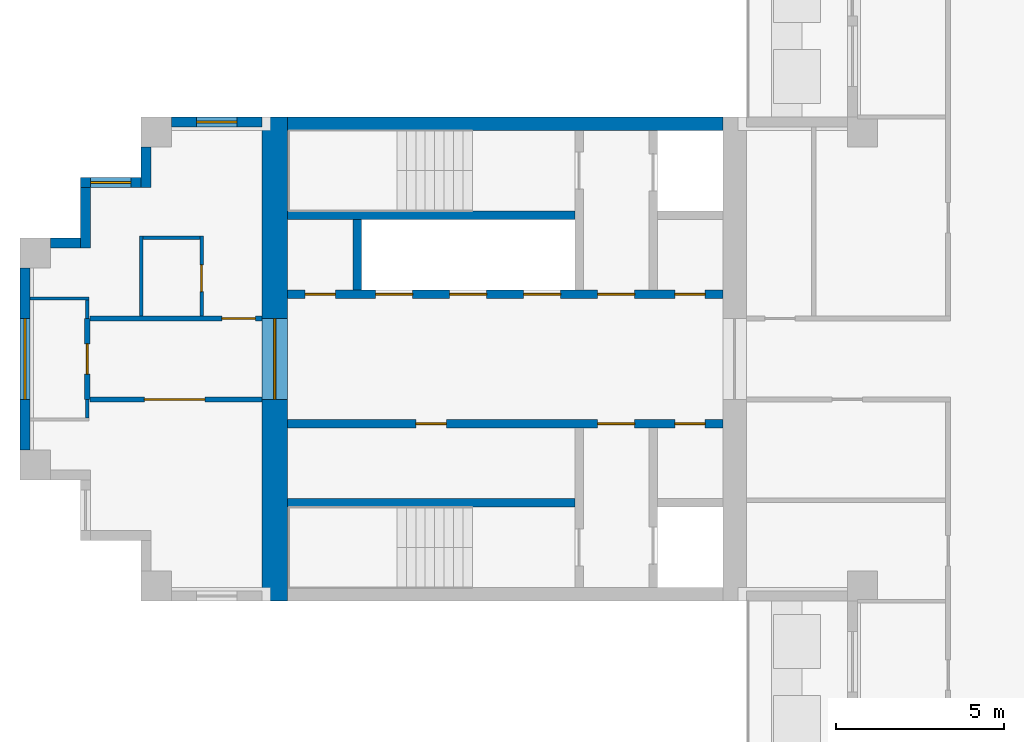
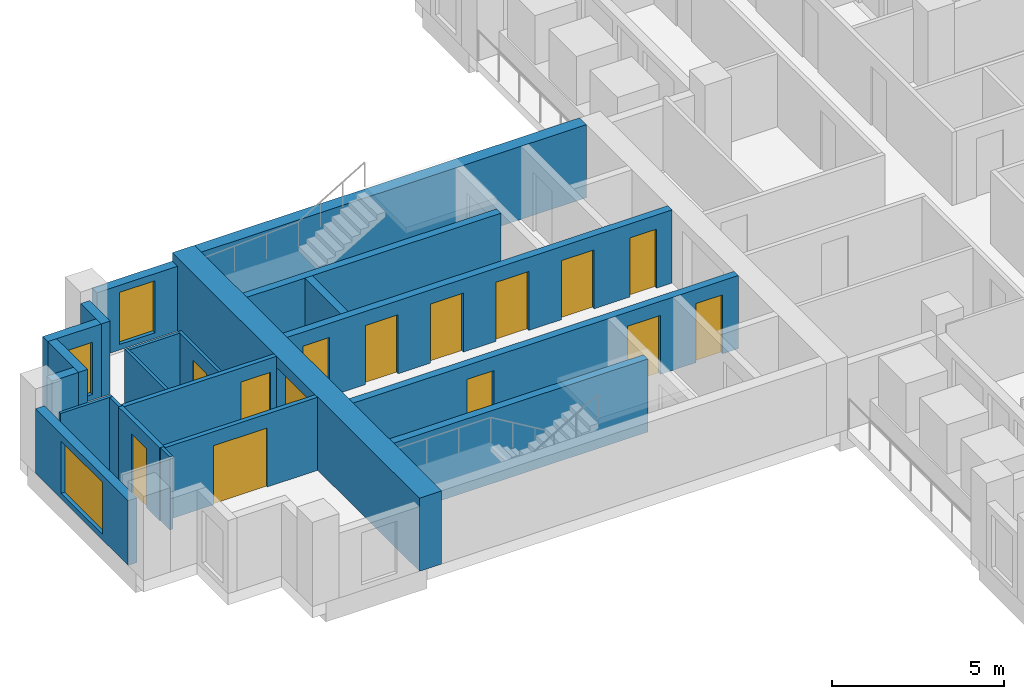
# One storey, part 3 of 9: 22 walls, 14 doors, 3 windows, 17 openings.
"""IFC4 building model written with IfcOpenShell, lengths in metres."""

import ifcopenshell
import ifcopenshell.guid

model = None  # the IFC model being written
_history = None  # IfcOwnerHistory: only IFC2X3 demands one
_inside = {}  # id of a spatial element -> (the spatial element, [elements in it])
_under = {}  # id of a project, library or spatial element -> (it, [spatial elements below it])
_declared = {}  # id of a project -> (the project, [libraries it declares])
_typed = {}  # id of a type object -> (the type object, [elements of that type])
_made_of = {}  # id of a material, layer set ... -> (it, [elements and type objects made of it])


def new_model(schema):
    """Start an empty IFC model of exactly this schema.

    Asked for "IFC4X3", IfcOpenShell would pick the latest addendum, in which some entities
    have other attributes; the version numbers below select the first issue.
    IFC2X3 requires an IfcOwnerHistory on every rooted entity: one is made here for all.
    """
    global model, _history
    if schema == "IFC4X3":
        model = ifcopenshell.file(schema_version=(4, 3, 0, 0))
    else:
        model = ifcopenshell.file(schema=schema)
    _inside.clear()
    _under.clear()
    _declared.clear()
    _typed.clear()
    _made_of.clear()
    _history = None
    if model.schema == "IFC2X3":
        org = make("IfcOrganization", Name="unknown")
        user = make(
            "IfcPersonAndOrganization",
            ThePerson=make("IfcPerson", FamilyName="unknown"),
            TheOrganization=org,
        )
        app = make(
            "IfcApplication",
            ApplicationDeveloper=org,
            Version="unknown",
            ApplicationFullName="unknown",
            ApplicationIdentifier="unknown",
        )
        _history = make(
            "IfcOwnerHistory",
            OwningUser=user,
            OwningApplication=app,
            ChangeAction="ADDED",
            CreationDate=0,
        )
    return model


def make(cls, **values):
    """One entity of the class cls with the attributes given. An attribute that is None is left unset."""
    return model.create_entity(
        cls, **{name: value for name, value in values.items() if value is not None}
    )


def rooted(cls, **values):
    """An entity with a GlobalId (a new one), such as an element, a storey or a relation."""
    return make(cls, GlobalId=ifcopenshell.guid.new(), OwnerHistory=_history, **values)


def si_unit(unit_type, name, prefix=None):
    """IfcSIUnit, for example si_unit("LENGTHUNIT", "METRE", prefix="MILLI")."""
    return make("IfcSIUnit", UnitType=unit_type, Prefix=prefix, Name=name)


def assignment(units):
    """IfcUnitAssignment: the units of a project."""
    return None if units is None else make("IfcUnitAssignment", Units=units)


def point(xyz):
    """IfcCartesianPoint."""
    return None if xyz is None else make("IfcCartesianPoint", Coordinates=xyz)


def direction(xyz):
    """IfcDirection."""
    return None if xyz is None else make("IfcDirection", DirectionRatios=xyz)


def frame(location, z_axis=None, x_axis=None):
    """IfcAxis2Placement3D, a coordinate frame: its origin and axes. An axis left out is left unset."""
    return make(
        "IfcAxis2Placement3D",
        Location=point(location),
        Axis=direction(z_axis),
        RefDirection=direction(x_axis),
    )


def frame_2d(location, x_axis=None):
    """IfcAxis2Placement2D, a coordinate frame in the plane: its origin and x axis."""
    return make(
        "IfcAxis2Placement2D", Location=point(location), RefDirection=direction(x_axis)
    )


def origin():
    """The frame at (0, 0, 0) with its axes left unset."""
    return frame((0.0, 0.0, 0.0))


def place(relative_to, where):
    """IfcLocalPlacement: puts the frame where relative to a parent placement (None: the world)."""
    return make(
        "IfcLocalPlacement", PlacementRelTo=relative_to, RelativePlacement=where
    )


def context(
    kind, dimensions, precision=None, world=None, true_north=None, identifier=None
):
    """IfcGeometricRepresentationContext, for example the 3D "Model" context."""
    return make(
        "IfcGeometricRepresentationContext",
        ContextIdentifier=identifier,
        ContextType=kind,
        CoordinateSpaceDimension=dimensions,
        Precision=precision,
        WorldCoordinateSystem=world,
        TrueNorth=true_north,
    )


def subcontext(parent, identifier, kind, view, scale=None):
    """IfcGeometricRepresentationSubContext, for example "Body" below "Model"."""
    return make(
        "IfcGeometricRepresentationSubContext",
        ContextIdentifier=identifier,
        ContextType=kind,
        ParentContext=parent,
        TargetScale=scale,
        TargetView=view,
    )


def project(units=None, contexts=None):
    """IfcProject with its units and contexts."""
    return rooted(
        "IfcProject",
        Name="project",
        RepresentationContexts=contexts,
        UnitsInContext=assignment(units),
    )


def spatial(cls, under=None, at=None, **own):
    """A site, building, storey or space (cls), placed at a placement, below another one or the project."""
    s = rooted(cls, ObjectPlacement=at, **own)
    if under is not None:
        _under.setdefault(under.id(), (under, []))[1].append(s)
    return s


def profile(cls, at=None, kind="AREA", **sizes):
    """A parametric profile (cls). Its sizes go by their IFC names, for example OverallWidth=200.0."""
    return make(cls, ProfileType=kind, Position=at, **sizes)


def rectangle(**sizes):
    """IfcRectangleProfileDef."""
    return profile("IfcRectangleProfileDef", **sizes)


def extrude(swept, where, along, depth):
    """IfcExtrudedAreaSolid: the profile swept, set in the frame where, extruded along a direction by depth."""
    return make(
        "IfcExtrudedAreaSolid",
        SweptArea=swept,
        Position=where,
        ExtrudedDirection=direction(along),
        Depth=depth,
    )


def shape(context_of_items, identifier, shape_type, items):
    """IfcShapeRepresentation: the items that make up one representation, for example the "Body"."""
    return make(
        "IfcShapeRepresentation",
        ContextOfItems=context_of_items,
        RepresentationIdentifier=identifier,
        RepresentationType=shape_type,
        Items=items,
    )


def material(Name=None, Category=None):
    """IfcMaterial."""
    return make("IfcMaterial", Name=Name, Category=Category)


def layer(
    of_material, thickness, ventilated=None, Name=None, Category=None, Priority=None
):
    """IfcMaterialLayer: one layer of a wall or slab, of a material (None: an air gap)."""
    return make(
        "IfcMaterialLayer",
        Material=of_material,
        LayerThickness=thickness,
        IsVentilated=ventilated,
        Name=Name,
        Category=Category,
        Priority=Priority,
    )


def layer_set(layers, Name=None):
    """IfcMaterialLayerSet."""
    return make("IfcMaterialLayerSet", MaterialLayers=layers, LayerSetName=Name)


def made_of(thing, what):
    """Note that an element or type object is made of a material, layer set ...; save() writes the relation."""
    if what is not None:
        _made_of.setdefault(what.id(), (what, []))[1].append(thing)
    return thing


def type_object(cls, material=None, **own):
    """A type object (cls), such as IfcWallType, which elements share."""
    return made_of(rooted(cls, **own), material)


def element(
    cls,
    number,
    at=None,
    inside=None,
    cuts=None,
    type_object=None,
    material=None,
    context=None,
    identifier="Body",
    shape_type=None,
    held_by="IfcProductDefinitionShape",
    body=None,
    shapes=None,
    **own,
):
    """One element of the class cls, such as IfcWall. Its Tag is "e" and its number.

    at: its placement. inside: the storey or other place that contains it. cuts: it is an
    opening in that element (IfcRelVoidsElement). A single representation is given by context,
    identifier, shape_type and body (its items); several are given by shapes. held_by: the class
    of the entity that holds the representations. save() writes the other relations.
    """
    e = rooted(cls, Tag="e%d" % number, ObjectPlacement=at, **own)
    if body is not None:
        shapes = [shape(context, identifier, shape_type, body)]
    if shapes is not None:
        e.Representation = make(held_by, Representations=shapes)
    if inside is not None:
        _inside.setdefault(inside.id(), (inside, []))[1].append(e)
    if cuts is not None:
        rooted(
            "IfcRelVoidsElement", RelatingBuildingElement=cuts, RelatedOpeningElement=e
        )
    if type_object is not None:
        _typed.setdefault(type_object.id(), (type_object, []))[1].append(e)
    return made_of(e, material)


def fill(opening, filler):
    """IfcRelFillsElement: the door or window that sits in an opening."""
    return rooted(
        "IfcRelFillsElement",
        RelatingOpeningElement=opening,
        RelatedBuildingElement=filler,
    )


def aggregate(whole, parts):
    """IfcRelAggregates: a whole, such as a stair, and the parts it consists of."""
    return rooted("IfcRelAggregates", RelatingObject=whole, RelatedObjects=parts)


def save(model, path):
    """Write the relations noted so far, then the file.

    IfcRelAggregates (storeys below a building ...), IfcRelContainedInSpatialStructure (elements
    in a storey), IfcRelDefinesByType, IfcRelAssociatesMaterial and IfcRelDeclares: one each for
    every whole, place, type object, material and project.
    """
    for whole, parts in _under.values():
        aggregate(whole, parts)
    for where, things in _inside.values():
        rooted(
            "IfcRelContainedInSpatialStructure",
            RelatedElements=things,
            RelatingStructure=where,
        )
    for kind, things in _typed.values():
        rooted("IfcRelDefinesByType", RelatedObjects=things, RelatingType=kind)
    for what, things in _made_of.values():
        rooted("IfcRelAssociatesMaterial", RelatedObjects=things, RelatingMaterial=what)
    for by, libraries in _declared.values():
        rooted("IfcRelDeclares", RelatingContext=by, RelatedDefinitions=libraries)
    model.write(path)


model = new_model("IFC4")

# Units and contexts
model_context = context("Model", 3, precision=1e-05, world=origin(), true_north=direction((0.0, 1.0)))
body_context = subcontext(model_context, "Body", "Model", "MODEL_VIEW")
ifc_project = project(units=[si_unit("LENGTHUNIT", "METRE"), si_unit("AREAUNIT", "SQUARE_METRE"), si_unit("VOLUMEUNIT", "CUBIC_METRE"), si_unit("PLANEANGLEUNIT", "RADIAN"), si_unit("MASSUNIT", "GRAM", prefix="KILO")], contexts=[model_context])

# Site, building, storey
site_placement = place(None, origin())
site = spatial("IfcSite", under=ifc_project, at=site_placement, CompositionType="ELEMENT")
building_placement = place(site_placement, origin())
building = spatial("IfcBuilding", under=site, at=building_placement, Name="Fustian Cross Tower", CompositionType="ELEMENT")
storey_placement = place(building_placement, frame((0.0, 0.0, 216.89990234375)))
storey = spatial("IfcBuildingStorey", under=building, at=storey_placement, Name="L68", CompositionType="ELEMENT", Elevation=216.89990234375)

# Wall, opening, door
ifc_material_1 = material(Name="Plasterboard on steel stud", Category="steel")
ifc_layer_1 = layer(ifc_material_1, 0.14990234375)
ifc_layer_set_1 = layer_set([ifc_layer_1], Name="Plasterboard on steel stud")
wall_type_1 = type_object("IfcWallType", Name="COMPARTMENT WALL 150 EI 60", PredefinedType="PARTITIONING", material=ifc_layer_set_1)
wall_1_placement = place(storey_placement, frame((-26.800048828125, -1.199951171875, 0.0), z_axis=(0.0, 0.0, 1.0), x_axis=(0.0, 1.0, 0.0)))
wall_1 = element("IfcWall", 1, at=wall_1_placement, inside=storey, type_object=wall_type_1, Name="Partition 4", PredefinedType="PARTITIONING", context=body_context, shape_type="SweptSolid", body=[
    extrude(rectangle(XDim=2.39990234375, YDim=0.14990234375, at=frame_2d((1.199951171875, 0.0))), origin(), (0.0, 0.0, 1.0), 2.60009765625),
])
opening_1_placement = place(wall_1_placement, frame((0.75, 0.0, 0.0)))
opening_1 = element("IfcOpeningElement", 2, at=opening_1_placement, cuts=wall_1, Name="Opening D31022", PredefinedType="OPENING", context=body_context, shape_type="SweptSolid", body=[
    extrude(rectangle(XDim=0.89990234375, YDim=2.10009765625, at=frame_2d((0.449951171875, 1.050048828125))), frame((0.0, 0.0849609375, 0.0), z_axis=(0.0, -1.0, 0.0), x_axis=(1.0, 0.0, 0.0)), (0.0, 0.0, 1.0), 0.169921875),
])
ifc_material_2 = material(Name="Timber fire door set", Category="wood")
door_type_1 = type_object("IfcDoorType", Name="FIRE SWING DOOR 900 FD30S", OperationType="SINGLE_SWING_LEFT", PredefinedType="DOOR", material=ifc_material_2)
door_1_placement = place(opening_1_placement, origin())
door_1 = element("IfcDoor", 3, at=door_1_placement, inside=storey, type_object=door_type_1, Name="Door D31022", OperationType="SINGLE_SWING_LEFT", OverallHeight=2.10009765625, OverallWidth=0.89990234375, PredefinedType="DOOR", context=body_context, shape_type="SweptSolid", body=[
    extrude(rectangle(XDim=0.89990234375, YDim=2.10009765625, at=frame_2d((0.449951171875, 1.050048828125))), frame((0.0, 0.02490234375, 0.0), z_axis=(0.0, -1.0, 0.0), x_axis=(1.0, 0.0, 0.0)), (0.0, 0.0, 1.0), 0.050048828125),
])
fill(opening_1, door_1)

wall_2_placement = place(storey_placement, frame((-26.72509765625, -1.199951171875, 0.0), z_axis=(0.0, 0.0, 1.0), x_axis=(1.0, 0.0, 0.0)))
wall_2 = element("IfcWall", 4, at=wall_2_placement, inside=storey, type_object=wall_type_1, Name="Partition 5", PredefinedType="PARTITIONING", context=body_context, shape_type="SweptSolid", body=[
    extrude(rectangle(XDim=5.125, YDim=0.14990234375, at=frame_2d((2.5625, 0.0))), origin(), (0.0, 0.0, 1.0), 2.60009765625),
])
opening_2_placement = place(wall_2_placement, frame((1.625, 0.0, 0.0)))
opening_2 = element("IfcOpeningElement", 5, at=opening_2_placement, cuts=wall_2, Name="Opening D31023", PredefinedType="OPENING", context=body_context, shape_type="SweptSolid", body=[
    extrude(rectangle(XDim=1.800048828125, YDim=2.10009765625, at=frame_2d((0.89990234375, 1.050048828125))), frame((0.0, 0.0849609375, 0.0), z_axis=(0.0, -1.0, 0.0), x_axis=(1.0, 0.0, 0.0)), (0.0, 0.0, 1.0), 0.169921875),
])
ifc_material_3 = material(Name="Timber fire door set", Category="wood")
door_type_2 = type_object("IfcDoorType", Name="FIRE DOUBLE DOOR 1800 FD30S", OperationType="DOUBLE_DOOR_DOUBLE_SWING", PredefinedType="DOOR", material=ifc_material_3)
door_2_placement = place(opening_2_placement, origin())
door_2 = element("IfcDoor", 6, at=door_2_placement, inside=storey, type_object=door_type_2, Name="Door D31023", OperationType="DOUBLE_DOOR_DOUBLE_SWING", OverallHeight=2.10009765625, OverallWidth=1.800048828125, PredefinedType="DOOR", context=body_context, shape_type="SweptSolid", body=[
    extrude(rectangle(XDim=1.800048828125, YDim=2.10009765625, at=frame_2d((0.89990234375, 1.050048828125))), frame((0.0, 0.02490234375, 0.0), z_axis=(0.0, -1.0, 0.0), x_axis=(1.0, 0.0, 0.0)), (0.0, 0.0, 1.0), 0.050048828125),
])
fill(opening_2, door_2)

wall_3_placement = place(storey_placement, frame((-26.72509765625, 1.199951171875, 0.0), z_axis=(0.0, 0.0, 1.0), x_axis=(1.0, 0.0, 0.0)))
wall_3 = element("IfcWall", 7, at=wall_3_placement, inside=storey, type_object=wall_type_1, Name="Partition 7", PredefinedType="PARTITIONING", context=body_context, shape_type="SweptSolid", body=[
    extrude(rectangle(XDim=5.125, YDim=0.14990234375, at=frame_2d((2.5625, 0.0))), origin(), (0.0, 0.0, 1.0), 2.60009765625),
])
opening_3_placement = place(wall_3_placement, frame((3.925048828125, 0.0, 0.0)))
opening_3 = element("IfcOpeningElement", 8, at=opening_3_placement, cuts=wall_3, Name="Opening D31025", PredefinedType="OPENING", context=body_context, shape_type="SweptSolid", body=[
    extrude(rectangle(XDim=1.0, YDim=2.10009765625, at=frame_2d((0.5, 1.050048828125))), frame((0.0, 0.0849609375, 0.0), z_axis=(0.0, -1.0, 0.0), x_axis=(1.0, 0.0, 0.0)), (0.0, 0.0, 1.0), 0.169921875),
])
ifc_material_4 = material(Name="Timber fire door set", Category="wood")
door_type_3 = type_object("IfcDoorType", Name="FIRE SWING DOOR 1000 FD30S", OperationType="SINGLE_SWING_LEFT", PredefinedType="DOOR", material=ifc_material_4)
door_3_placement = place(opening_3_placement, origin())
door_3 = element("IfcDoor", 9, at=door_3_placement, inside=storey, type_object=door_type_3, Name="Door D31025", OperationType="SINGLE_SWING_RIGHT", OverallHeight=2.10009765625, OverallWidth=1.0, PredefinedType="DOOR", context=body_context, shape_type="SweptSolid", body=[
    extrude(rectangle(XDim=1.0, YDim=2.10009765625, at=frame_2d((0.5, 1.050048828125))), frame((0.0, 0.02490234375, 0.0), z_axis=(0.0, -1.0, 0.0), x_axis=(1.0, 0.0, 0.0)), (0.0, 0.0, 1.0), 0.050048828125),
])
fill(opening_3, door_3)

ifc_material_5 = material(Name="Concrete C50/60", Category="concrete")
ifc_layer_2 = layer(ifc_material_5, 0.75)
ifc_layer_set_2 = layer_set([ifc_layer_2], Name="Concrete C50/60")
wall_type_2 = type_object("IfcWallType", Name="CORE END WALL 750 C50/60", PredefinedType="SHEAR", material=ifc_layer_set_2)
wall_4_placement = place(storey_placement, frame((-21.22509765625, -7.199951171875, 0.0), z_axis=(0.0, 0.0, 1.0), x_axis=(0.0, 1.0, 0.0)))
wall_4 = element("IfcWall", 10, at=wall_4_placement, inside=storey, type_object=wall_type_2, Name="Core end wall", PredefinedType="SHEAR", context=body_context, shape_type="SweptSolid", body=[
    extrude(rectangle(XDim=14.39990234375, YDim=0.75, at=frame_2d((7.199951171875, 0.0))), origin(), (0.0, 0.0, 1.0), 2.60009765625),
])
opening_4_placement = place(wall_4_placement, frame((6.0, 0.0, 0.0)))
opening_4 = element("IfcOpeningElement", 11, at=opening_4_placement, cuts=wall_4, Name="Opening CD-29-28", PredefinedType="OPENING", context=body_context, shape_type="SweptSolid", body=[
    extrude(rectangle(XDim=2.39990234375, YDim=2.199951171875, at=frame_2d((1.199951171875, 1.10009765625))), frame((0.0, 0.385009765625, 0.0), z_axis=(0.0, -1.0, 0.0), x_axis=(1.0, 0.0, 0.0)), (0.0, 0.0, 1.0), 0.77001953125),
])
ifc_material_6 = material(Name="Steel", Category="steel")
door_type_4 = type_object("IfcDoorType", Name="FIRE DOOR FD30S DOUBLE 2400X2200", OperationType="DOUBLE_DOOR_DOUBLE_SWING", PredefinedType="DOOR", material=ifc_material_6)
door_4_placement = place(opening_4_placement, frame((2.39990234375, 0.0, 0.0), z_axis=(0.0, 0.0, 1.0), x_axis=(-1.0, 0.0, 0.0)))
door_4 = element("IfcDoor", 12, at=door_4_placement, inside=storey, type_object=door_type_4, Name="Core door CD-29-28", OperationType="DOUBLE_DOOR_DOUBLE_SWING", OverallHeight=2.199951171875, OverallWidth=2.39990234375, PredefinedType="DOOR", context=body_context, shape_type="SweptSolid", body=[
    extrude(rectangle(XDim=2.39990234375, YDim=2.199951171875, at=frame_2d((1.199951171875, 1.10009765625))), frame((0.0, 0.02490234375, 0.0), z_axis=(0.0, -1.0, 0.0), x_axis=(1.0, 0.0, 0.0)), (0.0, 0.0, 1.0), 0.050048828125),
])
fill(opening_4, door_4)

# Wall
ifc_material_7 = material(Name="Concrete C50/60", Category="concrete")
ifc_layer_3 = layer(ifc_material_7, 0.39990234375)
ifc_layer_set_3 = layer_set([ifc_layer_3], Name="Concrete C50/60")
wall_type_3 = type_object("IfcWallType", Name="CORE FACADE WALL 400 C50/60", PredefinedType="SHEAR", material=ifc_layer_set_3)
wall_5_placement = place(storey_placement, frame((-7.89990234375, 7.0, 0.0), z_axis=(0.0, 0.0, 1.0), x_axis=(-1.0, 0.0, 0.0)))
element("IfcWall", 13, at=wall_5_placement, inside=storey, type_object=wall_type_3, Name="Core facade wall", PredefinedType="SHEAR", context=body_context, shape_type="SweptSolid", body=[
    extrude(rectangle(XDim=12.9501953125, YDim=0.39990234375, at=frame_2d((6.47509765625, 0.0))), origin(), (0.0, 0.0, 1.0), 2.60009765625),
])

# Wall, openings, doors
ifc_material_8 = material(Name="Concrete C50/60", Category="concrete")
ifc_layer_4 = layer(ifc_material_8, 0.25)
ifc_layer_set_4 = layer_set([ifc_layer_4], Name="Concrete C50/60")
wall_type_4 = type_object("IfcWallType", Name="CORE LOBBY WALL 250 C50/60", PredefinedType="SHEAR", material=ifc_layer_set_4)
wall_6_placement = place(storey_placement, frame((-7.89990234375, 1.925048828125, 0.0), z_axis=(0.0, 0.0, 1.0), x_axis=(-1.0, 0.0, 0.0)))
wall_6 = element("IfcWall", 14, at=wall_6_placement, inside=storey, type_object=wall_type_4, Name="Core lobby wall", PredefinedType="SHEAR", context=body_context, shape_type="SweptSolid", body=[
    extrude(rectangle(XDim=12.9501953125, YDim=0.25, at=frame_2d((6.47509765625, 0.0))), origin(), (0.0, 0.0, 1.0), 2.60009765625),
])
opening_5_placement = place(wall_6_placement, frame((4.824951171875, 0.0, 0.0)))
opening_5 = element("IfcOpeningElement", 15, at=opening_5_placement, cuts=wall_6, Name="Opening LD", PredefinedType="OPENING", context=body_context, shape_type="SweptSolid", body=[
    extrude(rectangle(XDim=1.10009765625, YDim=2.10009765625, at=frame_2d((0.550048828125, 1.050048828125))), frame((0.0, 0.135009765625, 0.0), z_axis=(0.0, -1.0, 0.0), x_axis=(1.0, 0.0, 0.0)), (0.0, 0.0, 1.0), 0.27001953125),
])
opening_6_placement = place(wall_6_placement, frame((7.02490234375, 0.0, 0.0)))
opening_6 = element("IfcOpeningElement", 16, at=opening_6_placement, cuts=wall_6, Name="Opening LD", PredefinedType="OPENING", context=body_context, shape_type="SweptSolid", body=[
    extrude(rectangle(XDim=1.10009765625, YDim=2.10009765625, at=frame_2d((0.550048828125, 1.050048828125))), frame((0.0, 0.135009765625, 0.0), z_axis=(0.0, -1.0, 0.0), x_axis=(1.0, 0.0, 0.0)), (0.0, 0.0, 1.0), 0.27001953125),
])
opening_7_placement = place(wall_6_placement, frame((9.22509765625, 0.0, 0.0)))
opening_7 = element("IfcOpeningElement", 17, at=opening_7_placement, cuts=wall_6, Name="Opening LD", PredefinedType="OPENING", context=body_context, shape_type="SweptSolid", body=[
    extrude(rectangle(XDim=1.10009765625, YDim=2.10009765625, at=frame_2d((0.550048828125, 1.050048828125))), frame((0.0, 0.135009765625, 0.0), z_axis=(0.0, -1.0, 0.0), x_axis=(1.0, 0.0, 0.0)), (0.0, 0.0, 1.0), 0.27001953125),
])
opening_8_placement = place(wall_6_placement, frame((0.52490234375, 0.0, 0.0)))
opening_8 = element("IfcOpeningElement", 18, at=opening_8_placement, cuts=wall_6, Name="Opening CD-29-23", PredefinedType="OPENING", context=body_context, shape_type="SweptSolid", body=[
    extrude(rectangle(XDim=0.89990234375, YDim=2.10009765625, at=frame_2d((0.449951171875, 1.050048828125))), frame((0.0, 0.135009765625, 0.0), z_axis=(0.0, -1.0, 0.0), x_axis=(1.0, 0.0, 0.0)), (0.0, 0.0, 1.0), 0.27001953125),
])
opening_9_placement = place(wall_6_placement, frame((2.625, 0.0, 0.0)))
opening_9 = element("IfcOpeningElement", 19, at=opening_9_placement, cuts=wall_6, Name="Opening CD-29-25", PredefinedType="OPENING", context=body_context, shape_type="SweptSolid", body=[
    extrude(rectangle(XDim=1.10009765625, YDim=2.10009765625, at=frame_2d((0.550048828125, 1.050048828125))), frame((0.0, 0.135009765625, 0.0), z_axis=(0.0, -1.0, 0.0), x_axis=(1.0, 0.0, 0.0)), (0.0, 0.0, 1.0), 0.27001953125),
])
opening_10_placement = place(wall_6_placement, frame((11.52490234375, 0.0, 0.0)))
opening_10 = element("IfcOpeningElement", 20, at=opening_10_placement, cuts=wall_6, Name="Opening CD-29-29", PredefinedType="OPENING", context=body_context, shape_type="SweptSolid", body=[
    extrude(rectangle(XDim=0.89990234375, YDim=2.10009765625, at=frame_2d((0.449951171875, 1.050048828125))), frame((0.0, 0.135009765625, 0.0), z_axis=(0.0, -1.0, 0.0), x_axis=(1.0, 0.0, 0.0)), (0.0, 0.0, 1.0), 0.27001953125),
])
ifc_material_9 = material(Name="Steel", Category="steel")
door_type_5 = type_object("IfcDoorType", Name="FIRE DOOR FD30S 900X2100", OperationType="SINGLE_SWING_LEFT", PredefinedType="DOOR", material=ifc_material_9)
door_5_placement = place(opening_10_placement, frame((0.89990234375, 0.0, 0.0), z_axis=(0.0, 0.0, 1.0), x_axis=(-1.0, 0.0, 0.0)))
door_5 = element("IfcDoor", 21, at=door_5_placement, inside=storey, type_object=door_type_5, Name="Core door CD-29-29", OperationType="SINGLE_SWING_RIGHT", OverallHeight=2.10009765625, OverallWidth=0.89990234375, PredefinedType="DOOR", context=body_context, shape_type="SweptSolid", body=[
    extrude(rectangle(XDim=0.89990234375, YDim=2.10009765625, at=frame_2d((0.449951171875, 1.050048828125))), frame((0.0, 0.02490234375, 0.0), z_axis=(0.0, -1.0, 0.0), x_axis=(1.0, 0.0, 0.0)), (0.0, 0.0, 1.0), 0.050048828125),
])
fill(opening_10, door_5)
ifc_material_10 = material(Name="Steel", Category="steel")
door_type_6 = type_object("IfcDoorType", Name="FIRE DOOR FD60S 1100X2100", OperationType="SINGLE_SWING_LEFT", PredefinedType="DOOR", material=ifc_material_10)
door_6_placement = place(opening_9_placement, frame((1.10009765625, 0.0, 0.0), z_axis=(0.0, 0.0, 1.0), x_axis=(-1.0, 0.0, 0.0)))
door_6 = element("IfcDoor", 22, at=door_6_placement, inside=storey, type_object=door_type_6, Name="Core door CD-29-25", OperationType="SINGLE_SWING_RIGHT", OverallHeight=2.10009765625, OverallWidth=1.10009765625, PredefinedType="DOOR", context=body_context, shape_type="SweptSolid", body=[
    extrude(rectangle(XDim=1.10009765625, YDim=2.10009765625, at=frame_2d((0.550048828125, 1.050048828125))), frame((0.0, 0.02490234375, 0.0), z_axis=(0.0, -1.0, 0.0), x_axis=(1.0, 0.0, 0.0)), (0.0, 0.0, 1.0), 0.050048828125),
])
fill(opening_9, door_6)
ifc_material_11 = material(Name="Steel", Category="steel")
door_type_7 = type_object("IfcDoorType", Name="FIRE DOOR FD60S 900X2100", OperationType="SINGLE_SWING_LEFT", PredefinedType="DOOR", material=ifc_material_11)
door_7_placement = place(opening_8_placement, frame((0.89990234375, 0.0, 0.0), z_axis=(0.0, 0.0, 1.0), x_axis=(-1.0, 0.0, 0.0)))
door_7 = element("IfcDoor", 23, at=door_7_placement, inside=storey, type_object=door_type_7, Name="Core door CD-29-23", OperationType="SINGLE_SWING_RIGHT", OverallHeight=2.10009765625, OverallWidth=0.89990234375, PredefinedType="DOOR", context=body_context, shape_type="SweptSolid", body=[
    extrude(rectangle(XDim=0.89990234375, YDim=2.10009765625, at=frame_2d((0.449951171875, 1.050048828125))), frame((0.0, 0.02490234375, 0.0), z_axis=(0.0, -1.0, 0.0), x_axis=(1.0, 0.0, 0.0)), (0.0, 0.0, 1.0), 0.050048828125),
])
fill(opening_8, door_7)
ifc_material_12 = material(Name="Stainless steel", Category="steel")
door_type_8 = type_object("IfcDoorType", Name="LIFT LANDING DOOR 1100X2100", OperationType="SLIDING_TO_LEFT", PredefinedType="DOOR", material=ifc_material_12)
door_8_placement = place(opening_5_placement, origin())
door_8 = element("IfcDoor", 24, at=door_8_placement, inside=storey, type_object=door_type_8, Name="Landing door HR1W", OperationType="SLIDING_TO_LEFT", OverallHeight=2.10009765625, OverallWidth=1.10009765625, PredefinedType="DOOR", context=body_context, shape_type="SweptSolid", body=[
    extrude(rectangle(XDim=1.10009765625, YDim=2.10009765625, at=frame_2d((0.550048828125, 1.050048828125))), frame((0.0, 0.02490234375, 0.0), z_axis=(0.0, -1.0, 0.0), x_axis=(1.0, 0.0, 0.0)), (0.0, 0.0, 1.0), 0.050048828125),
])
fill(opening_5, door_8)
door_9_placement = place(opening_6_placement, origin())
door_9 = element("IfcDoor", 25, at=door_9_placement, inside=storey, type_object=door_type_8, Name="Landing door HR2W", OperationType="SLIDING_TO_LEFT", OverallHeight=2.10009765625, OverallWidth=1.10009765625, PredefinedType="DOOR", context=body_context, shape_type="SweptSolid", body=[
    extrude(rectangle(XDim=1.10009765625, YDim=2.10009765625, at=frame_2d((0.550048828125, 1.050048828125))), frame((0.0, 0.02490234375, 0.0), z_axis=(0.0, -1.0, 0.0), x_axis=(1.0, 0.0, 0.0)), (0.0, 0.0, 1.0), 0.050048828125),
])
fill(opening_6, door_9)
door_10_placement = place(opening_7_placement, origin())
door_10 = element("IfcDoor", 26, at=door_10_placement, inside=storey, type_object=door_type_8, Name="Landing door HR3W", OperationType="SLIDING_TO_LEFT", OverallHeight=2.10009765625, OverallWidth=1.10009765625, PredefinedType="DOOR", context=body_context, shape_type="SweptSolid", body=[
    extrude(rectangle(XDim=1.10009765625, YDim=2.10009765625, at=frame_2d((0.550048828125, 1.050048828125))), frame((0.0, 0.02490234375, 0.0), z_axis=(0.0, -1.0, 0.0), x_axis=(1.0, 0.0, 0.0)), (0.0, 0.0, 1.0), 0.050048828125),
])
fill(opening_7, door_10)

wall_7_placement = place(storey_placement, frame((-7.89990234375, -1.925048828125, 0.0), z_axis=(0.0, 0.0, 1.0), x_axis=(-1.0, 0.0, 0.0)))
wall_7 = element("IfcWall", 27, at=wall_7_placement, inside=storey, type_object=wall_type_4, Name="Core lobby wall", PredefinedType="SHEAR", context=body_context, shape_type="SweptSolid", body=[
    extrude(rectangle(XDim=12.9501953125, YDim=0.25, at=frame_2d((6.47509765625, 0.0))), origin(), (0.0, 0.0, 1.0), 2.60009765625),
])
opening_11_placement = place(wall_7_placement, frame((0.52490234375, 0.0, 0.0)))
opening_11 = element("IfcOpeningElement", 28, at=opening_11_placement, cuts=wall_7, Name="Opening CD-29-24", PredefinedType="OPENING", context=body_context, shape_type="SweptSolid", body=[
    extrude(rectangle(XDim=0.89990234375, YDim=2.10009765625, at=frame_2d((0.449951171875, 1.050048828125))), frame((0.0, 0.135009765625, 0.0), z_axis=(0.0, -1.0, 0.0), x_axis=(1.0, 0.0, 0.0)), (0.0, 0.0, 1.0), 0.27001953125),
])
opening_12_placement = place(wall_7_placement, frame((2.625, 0.0, 0.0)))
opening_12 = element("IfcOpeningElement", 29, at=opening_12_placement, cuts=wall_7, Name="Opening CD-29-26", PredefinedType="OPENING", context=body_context, shape_type="SweptSolid", body=[
    extrude(rectangle(XDim=1.10009765625, YDim=2.10009765625, at=frame_2d((0.550048828125, 1.050048828125))), frame((0.0, 0.135009765625, 0.0), z_axis=(0.0, -1.0, 0.0), x_axis=(1.0, 0.0, 0.0)), (0.0, 0.0, 1.0), 0.27001953125),
])
opening_13_placement = place(wall_7_placement, frame((8.22509765625, 0.0, 0.0)))
opening_13 = element("IfcOpeningElement", 30, at=opening_13_placement, cuts=wall_7, Name="Opening CD-29-30", PredefinedType="OPENING", context=body_context, shape_type="SweptSolid", body=[
    extrude(rectangle(XDim=0.89990234375, YDim=2.10009765625, at=frame_2d((0.449951171875, 1.050048828125))), frame((0.0, 0.135009765625, 0.0), z_axis=(0.0, -1.0, 0.0), x_axis=(1.0, 0.0, 0.0)), (0.0, 0.0, 1.0), 0.27001953125),
])
ifc_material_13 = material(Name="Steel", Category="steel")
door_type_9 = type_object("IfcDoorType", Name="FIRE DOOR FD30S 1100X2100", OperationType="SINGLE_SWING_LEFT", PredefinedType="DOOR", material=ifc_material_13)
door_11_placement = place(opening_12_placement, frame((1.10009765625, 0.0, 0.0), z_axis=(0.0, 0.0, 1.0), x_axis=(-1.0, 0.0, 0.0)))
door_11 = element("IfcDoor", 31, at=door_11_placement, inside=storey, type_object=door_type_9, Name="Core door CD-29-26", OperationType="SINGLE_SWING_RIGHT", OverallHeight=2.10009765625, OverallWidth=1.10009765625, PredefinedType="DOOR", context=body_context, shape_type="SweptSolid", body=[
    extrude(rectangle(XDim=1.10009765625, YDim=2.10009765625, at=frame_2d((0.550048828125, 1.050048828125))), frame((0.0, 0.02490234375, 0.0), z_axis=(0.0, -1.0, 0.0), x_axis=(1.0, 0.0, 0.0)), (0.0, 0.0, 1.0), 0.050048828125),
])
fill(opening_12, door_11)
door_12_placement = place(opening_11_placement, origin())
door_12 = element("IfcDoor", 32, at=door_12_placement, inside=storey, type_object=door_type_5, Name="Core door CD-29-24", OperationType="SINGLE_SWING_LEFT", OverallHeight=2.10009765625, OverallWidth=0.89990234375, PredefinedType="DOOR", context=body_context, shape_type="SweptSolid", body=[
    extrude(rectangle(XDim=0.89990234375, YDim=2.10009765625, at=frame_2d((0.449951171875, 1.050048828125))), frame((0.0, 0.02490234375, 0.0), z_axis=(0.0, -1.0, 0.0), x_axis=(1.0, 0.0, 0.0)), (0.0, 0.0, 1.0), 0.050048828125),
])
fill(opening_11, door_12)
door_13_placement = place(opening_13_placement, origin())
door_13 = element("IfcDoor", 33, at=door_13_placement, inside=storey, type_object=door_type_5, Name="Core door CD-29-30", OperationType="SINGLE_SWING_RIGHT", OverallHeight=2.10009765625, OverallWidth=0.89990234375, PredefinedType="DOOR", context=body_context, shape_type="SweptSolid", body=[
    extrude(rectangle(XDim=0.89990234375, YDim=2.10009765625, at=frame_2d((0.449951171875, 1.050048828125))), frame((0.0, 0.02490234375, 0.0), z_axis=(0.0, -1.0, 0.0), x_axis=(1.0, 0.0, 0.0)), (0.0, 0.0, 1.0), 0.050048828125),
])
fill(opening_13, door_13)

# Walls
ifc_material_14 = material(Name="Concrete C50/60", Category="concrete")
ifc_layer_5 = layer(ifc_material_14, 0.25)
ifc_layer_set_5 = layer_set([ifc_layer_5], Name="Concrete C50/60")
wall_type_5 = type_object("IfcWallType", Name="CORE SHAFT WALL 250 C50/60", PredefinedType="SHEAR", material=ifc_layer_set_5)
for number, where, z_axis, x_axis, name in (
    (34, (-12.300048828125, 4.27490234375, 0.0), (0.0, 0.0, 1.0), (-1.0, 0.0, 0.0), "Core shaft wall"),
    (35, (-12.300048828125, -4.27490234375, 0.0), (0.0, 0.0, 1.0), (-1.0, 0.0, 0.0), "Core shaft wall"),
):
    element("IfcWall", number, at=place(storey_placement, frame(where, z_axis=z_axis, x_axis=x_axis)), inside=storey, type_object=wall_type_5, Name=name, PredefinedType="SHEAR", context=body_context, shape_type="SweptSolid", body=[
        extrude(rectangle(XDim=8.550048828125, YDim=0.25, at=frame_2d((4.27490234375, 0.0))), origin(), (0.0, 0.0, 1.0), 2.60009765625),
    ])
ifc_material_15 = material(Name="Plasterboard on steel stud", Category="steel")
ifc_layer_6 = layer(ifc_material_15, 0.10009765625)
ifc_layer_set_6 = layer_set([ifc_layer_6], Name="Plasterboard on steel stud")
wall_type_6 = type_object("IfcWallType", Name="PARTITION 100 STUD", PredefinedType="PARTITIONING", material=ifc_layer_set_6)
wall_8_placement = place(storey_placement, frame((-28.5, 1.800048828125, 0.0), z_axis=(0.0, 0.0, 1.0), x_axis=(1.0, 0.0, 0.0)))
element("IfcWall", 36, at=wall_8_placement, inside=storey, type_object=wall_type_6, Name="Partition 2", PredefinedType="PARTITIONING", context=body_context, shape_type="SweptSolid", body=[
    extrude(rectangle(XDim=1.75, YDim=0.10009765625, at=frame_2d((0.875, 0.0))), origin(), (0.0, 0.0, 1.0), 2.60009765625),
])
for number, where, z_axis, x_axis, name in (
    (37, (-26.800048828125, -1.75, 0.0), (0.0, 0.0, 1.0), (0.0, 1.0, 0.0), "Partition 3"),
    (38, (-26.800048828125, 1.199951171875, 0.0), (0.0, 0.0, 1.0), (0.0, 1.0, 0.0), "Partition 6"),
):
    element("IfcWall", number, at=place(storey_placement, frame(where, z_axis=z_axis, x_axis=x_axis)), inside=storey, type_object=wall_type_6, Name=name, PredefinedType="PARTITIONING", context=body_context, shape_type="SweptSolid", body=[
        extrude(rectangle(XDim=0.550048828125, YDim=0.10009765625, at=frame_2d((0.27490234375, 0.0))), origin(), (0.0, 0.0, 1.0), 2.60009765625),
    ])
wall_9_placement = place(storey_placement, frame((-25.199951171875, 1.27490234375, 0.0), z_axis=(0.0, 0.0, 1.0), x_axis=(0.0, 1.0, 0.0)))
element("IfcWall", 39, at=wall_9_placement, inside=storey, type_object=wall_type_6, Name="Partition 8", PredefinedType="PARTITIONING", context=body_context, shape_type="SweptSolid", body=[
    extrude(rectangle(XDim=2.375, YDim=0.10009765625, at=frame_2d((1.1875, 0.0))), origin(), (0.0, 0.0, 1.0), 2.60009765625),
])
wall_10_placement = place(storey_placement, frame((-25.14990234375, 3.60009765625, 0.0), z_axis=(0.0, 0.0, 1.0), x_axis=(1.0, 0.0, 0.0)))
element("IfcWall", 40, at=wall_10_placement, inside=storey, type_object=wall_type_6, Name="Partition 9", PredefinedType="PARTITIONING", context=body_context, shape_type="SweptSolid", body=[
    extrude(rectangle(XDim=1.699951171875, YDim=0.10009765625, at=frame_2d((0.85009765625, 0.0))), origin(), (0.0, 0.0, 1.0), 2.60009765625),
])

# Wall, opening, door
wall_11_placement = place(storey_placement, frame((-23.39990234375, 1.27490234375, 0.0), z_axis=(0.0, 0.0, 1.0), x_axis=(0.0, 1.0, 0.0)))
wall_11 = element("IfcWall", 41, at=wall_11_placement, inside=storey, type_object=wall_type_6, Name="Partition 10", PredefinedType="PARTITIONING", context=body_context, shape_type="SweptSolid", body=[
    extrude(rectangle(XDim=2.375, YDim=0.10009765625, at=frame_2d((1.1875, 0.0))), origin(), (0.0, 0.0, 1.0), 2.60009765625),
])
opening_14_placement = place(wall_11_placement, frame((0.72509765625, 0.0, 0.0)))
opening_14 = element("IfcOpeningElement", 42, at=opening_14_placement, cuts=wall_11, Name="Opening D31024", PredefinedType="OPENING", context=body_context, shape_type="SweptSolid", body=[
    extrude(rectangle(XDim=0.800048828125, YDim=2.10009765625, at=frame_2d((0.39990234375, 1.050048828125))), frame((0.0, 0.06005859375, 0.0), z_axis=(0.0, -1.0, 0.0), x_axis=(1.0, 0.0, 0.0)), (0.0, 0.0, 1.0), 0.1201171875),
])
ifc_material_16 = material(Name="Painted timber", Category="wood")
door_type_10 = type_object("IfcDoorType", Name="SWING DOOR 800", OperationType="SINGLE_SWING_LEFT", PredefinedType="DOOR", material=ifc_material_16)
door_14_placement = place(opening_14_placement, origin())
door_14 = element("IfcDoor", 43, at=door_14_placement, inside=storey, type_object=door_type_10, Name="Door D31024", OperationType="SINGLE_SWING_LEFT", OverallHeight=2.10009765625, OverallWidth=0.800048828125, PredefinedType="DOOR", context=body_context, shape_type="SweptSolid", body=[
    extrude(rectangle(XDim=0.800048828125, YDim=2.10009765625, at=frame_2d((0.39990234375, 1.050048828125))), frame((0.0, 0.02490234375, 0.0), z_axis=(0.0, -1.0, 0.0), x_axis=(1.0, 0.0, 0.0)), (0.0, 0.0, 1.0), 0.050048828125),
])
fill(opening_14, door_14)

# Wall
ifc_material_17 = material(Name="Concrete C40/50", Category="concrete")
ifc_layer_7 = layer(ifc_material_17, 0.25)
ifc_layer_set_7 = layer_set([ifc_layer_7], Name="Concrete C40/50")
wall_type_7 = type_object("IfcWallType", Name="SHAFT PARTITION WALL 250 C40/50", PredefinedType="PARTITIONING", material=ifc_layer_set_7)
wall_12_placement = place(storey_placement, frame((-18.77490234375, 2.050048828125, 0.0), z_axis=(0.0, 0.0, 1.0), x_axis=(0.0, 1.0, 0.0)))
element("IfcWall", 44, at=wall_12_placement, inside=storey, type_object=wall_type_7, Name="Core shaft wall", PredefinedType="PARTITIONING", context=body_context, shape_type="SweptSolid", body=[
    extrude(rectangle(XDim=2.099853515625, YDim=0.25, at=frame_2d((1.0498046875, 0.0))), origin(), (0.0, 0.0, 1.0), 2.60009765625),
])

# Wall, opening, window
ifc_material_18 = material(Name="Dark aluminium cladding on insulated backing wall", Category="aluminium")
ifc_layer_8 = layer(ifc_material_18, 0.300048828125)
ifc_layer_set_8 = layer_set([ifc_layer_8], Name="Dark aluminium cladding on insulated backing wall")
wall_type_8 = type_object("IfcWallType", Name="XW1 EXTERNAL WALL 300", PredefinedType="SOLIDWALL", material=ifc_layer_set_8)
wall_13_placement = place(storey_placement, frame((-21.60009765625, 7.050048828125, 0.0), z_axis=(0.0, 0.0, 1.0), x_axis=(-1.0, 0.0, 0.0)))
wall_13 = element("IfcWall", 45, at=wall_13_placement, inside=storey, type_object=wall_type_8, Name="External wall", PredefinedType="SOLIDWALL", context=body_context, shape_type="SweptSolid", body=[
    extrude(rectangle(XDim=2.699951171875, YDim=0.300048828125, at=frame_2d((1.35009765625, 0.0))), origin(), (0.0, 0.0, 1.0), 2.300048828125),
])
opening_15_placement = place(wall_13_placement, frame((0.75, 0.0, 0.199951171875)))
opening_15 = element("IfcOpeningElement", 46, at=opening_15_placement, cuts=wall_13, Name="Opening WN3", PredefinedType="OPENING", context=body_context, shape_type="SweptSolid", body=[
    extrude(rectangle(XDim=1.199951171875, YDim=1.85009765625, at=frame_2d((0.60009765625, 0.925048828125))), frame((0.0, 0.159912109375, 0.0), z_axis=(0.0, -1.0, 0.0), x_axis=(1.0, 0.0, 0.0)), (0.0, 0.0, 1.0), 0.320068359375),
])
ifc_material_19 = material(Name="Dark anodised aluminium and double glazing", Category="aluminium")
window_type_1 = type_object("IfcWindowType", Name="WN3 WINDOW 1200X1850", PartitioningType="SINGLE_PANEL", PredefinedType="WINDOW", material=ifc_material_19)
window_1_placement = place(opening_15_placement, origin())
window_1 = element("IfcWindow", 47, at=window_1_placement, inside=storey, type_object=window_type_1, Name="Window", OverallHeight=1.85009765625, OverallWidth=1.199951171875, PartitioningType="SINGLE_PANEL", PredefinedType="WINDOW", context=body_context, shape_type="SweptSolid", body=[
    extrude(rectangle(XDim=1.199951171875, YDim=1.85009765625, at=frame_2d((0.60009765625, 0.925048828125))), frame((0.0, 0.030029296875, 0.0), z_axis=(0.0, -1.0, 0.0), x_axis=(1.0, 0.0, 0.0)), (0.0, 0.0, 1.0), 0.06005859375),
])
fill(opening_15, window_1)

# Wall
wall_14_placement = place(storey_placement, frame((-25.050048828125, 6.300048828125, 0.0), z_axis=(0.0, 0.0, 1.0), x_axis=(0.0, -1.0, 0.0)))
element("IfcWall", 48, at=wall_14_placement, inside=storey, type_object=wall_type_8, Name="External wall", PredefinedType="SOLIDWALL", context=body_context, shape_type="SweptSolid", body=[
    extrude(rectangle(XDim=1.199951171875, YDim=0.300048828125, at=frame_2d((0.60009765625, 0.0))), origin(), (0.0, 0.0, 1.0), 2.60009765625),
])

# Wall, opening, window
wall_15_placement = place(storey_placement, frame((-25.199951171875, 5.25, 0.0), z_axis=(0.0, 0.0, 1.0), x_axis=(-1.0, 0.0, 0.0)))
wall_15 = element("IfcWall", 49, at=wall_15_placement, inside=storey, type_object=wall_type_8, Name="External wall", PredefinedType="SOLIDWALL", context=body_context, shape_type="SweptSolid", body=[
    extrude(rectangle(XDim=1.800048828125, YDim=0.300048828125, at=frame_2d((0.89990234375, 0.0))), origin(), (0.0, 0.0, 1.0), 2.60009765625),
])
opening_16_placement = place(wall_15_placement, frame((0.300048828125, 0.0, 0.199951171875)))
opening_16 = element("IfcOpeningElement", 50, at=opening_16_placement, cuts=wall_15, Name="Opening WN3", PredefinedType="OPENING", context=body_context, shape_type="SweptSolid", body=[
    extrude(rectangle(XDim=1.199951171875, YDim=1.85009765625, at=frame_2d((0.60009765625, 0.925048828125))), frame((0.0, 0.159912109375, 0.0), z_axis=(0.0, -1.0, 0.0), x_axis=(1.0, 0.0, 0.0)), (0.0, 0.0, 1.0), 0.320068359375),
])
window_2_placement = place(opening_16_placement, origin())
window_2 = element("IfcWindow", 51, at=window_2_placement, inside=storey, type_object=window_type_1, Name="Window", OverallHeight=1.85009765625, OverallWidth=1.199951171875, PartitioningType="SINGLE_PANEL", PredefinedType="WINDOW", context=body_context, shape_type="SweptSolid", body=[
    extrude(rectangle(XDim=1.199951171875, YDim=1.85009765625, at=frame_2d((0.60009765625, 0.925048828125))), frame((0.0, 0.030029296875, 0.0), z_axis=(0.0, -1.0, 0.0), x_axis=(1.0, 0.0, 0.0)), (0.0, 0.0, 1.0), 0.06005859375),
])
fill(opening_16, window_2)

# Walls
wall_16_placement = place(storey_placement, frame((-26.85009765625, 5.10009765625, 0.0), z_axis=(0.0, 0.0, 1.0), x_axis=(0.0, -1.0, 0.0)))
element("IfcWall", 52, at=wall_16_placement, inside=storey, type_object=wall_type_8, Name="External wall", PredefinedType="SOLIDWALL", context=body_context, shape_type="SweptSolid", body=[
    extrude(rectangle(XDim=1.800048828125, YDim=0.300048828125, at=frame_2d((0.89990234375, 0.0))), origin(), (0.0, 0.0, 1.0), 2.60009765625),
])
wall_17_placement = place(storey_placement, frame((-27.0, 3.449951171875, 0.0), z_axis=(0.0, 0.0, 1.0), x_axis=(-1.0, 0.0, 0.0)))
element("IfcWall", 53, at=wall_17_placement, inside=storey, type_object=wall_type_8, Name="External wall", PredefinedType="SOLIDWALL", context=body_context, shape_type="SweptSolid", body=[
    extrude(rectangle(XDim=0.89990234375, YDim=0.300048828125, at=frame_2d((0.449951171875, 0.0))), origin(), (0.0, 0.0, 1.0), 2.60009765625),
])

# Wall, opening, window
wall_18_placement = place(storey_placement, frame((-28.64990234375, 2.699951171875, 0.0), z_axis=(0.0, 0.0, 1.0), x_axis=(0.0, -1.0, 0.0)))
wall_18 = element("IfcWall", 54, at=wall_18_placement, inside=storey, type_object=wall_type_8, Name="External wall", PredefinedType="SOLIDWALL", context=body_context, shape_type="SweptSolid", body=[
    extrude(rectangle(XDim=5.39990234375, YDim=0.300048828125, at=frame_2d((2.699951171875, 0.0))), origin(), (0.0, 0.0, 1.0), 2.300048828125),
])
opening_17_placement = place(wall_18_placement, frame((1.5, 0.0, 0.199951171875)))
opening_17 = element("IfcOpeningElement", 55, at=opening_17_placement, cuts=wall_18, Name="Opening WN1", PredefinedType="OPENING", context=body_context, shape_type="SweptSolid", body=[
    extrude(rectangle(XDim=2.39990234375, YDim=1.85009765625, at=frame_2d((1.199951171875, 0.925048828125))), frame((0.0, 0.159912109375, 0.0), z_axis=(0.0, -1.0, 0.0), x_axis=(1.0, 0.0, 0.0)), (0.0, 0.0, 1.0), 0.320068359375),
])
ifc_material_20 = material(Name="Dark anodised aluminium and double glazing", Category="aluminium")
window_type_2 = type_object("IfcWindowType", Name="WN1 WINDOW 2400X1850", PartitioningType="SINGLE_PANEL", PredefinedType="WINDOW", material=ifc_material_20)
window_3_placement = place(opening_17_placement, origin())
window_3 = element("IfcWindow", 56, at=window_3_placement, inside=storey, type_object=window_type_2, Name="Window", OverallHeight=1.85009765625, OverallWidth=2.39990234375, PartitioningType="SINGLE_PANEL", PredefinedType="WINDOW", context=body_context, shape_type="SweptSolid", body=[
    extrude(rectangle(XDim=2.39990234375, YDim=1.85009765625, at=frame_2d((1.199951171875, 0.925048828125))), frame((0.0, 0.030029296875, 0.0), z_axis=(0.0, -1.0, 0.0), x_axis=(1.0, 0.0, 0.0)), (0.0, 0.0, 1.0), 0.06005859375),
])
fill(opening_17, window_3)

save(model, "model.ifc")
